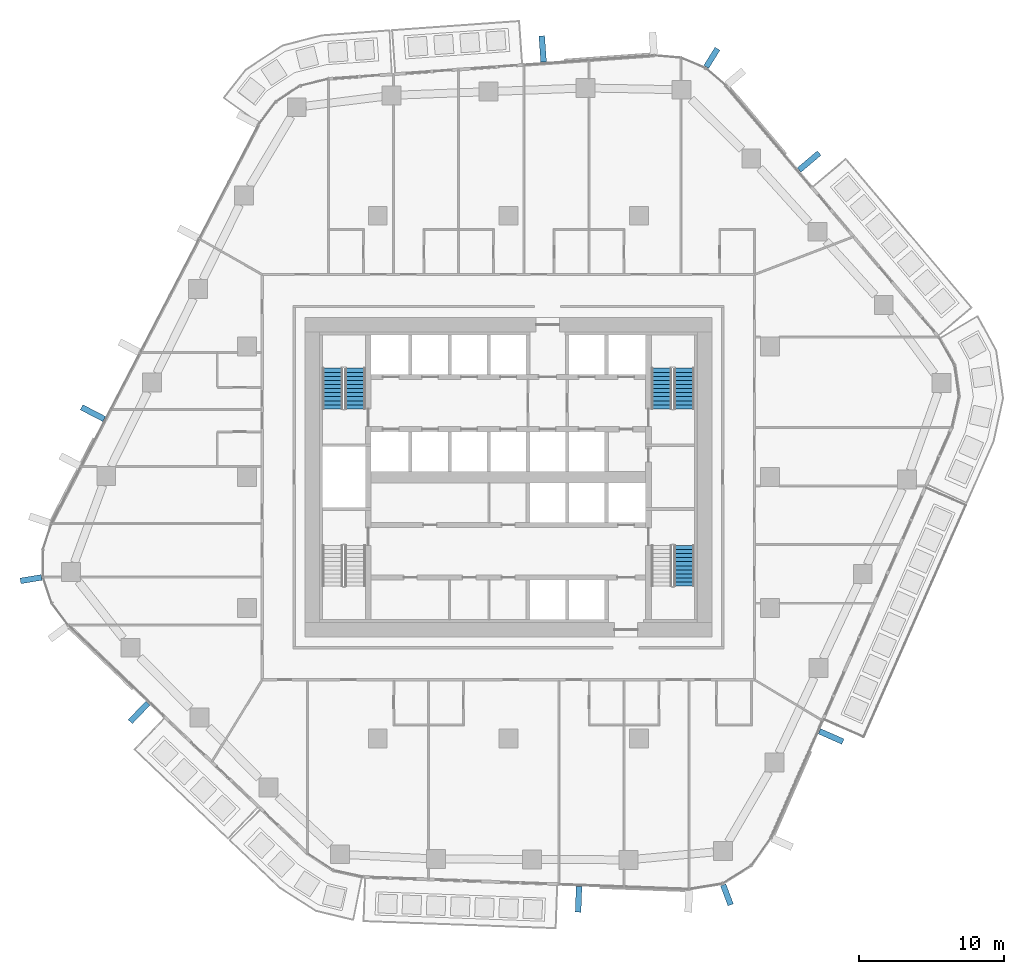
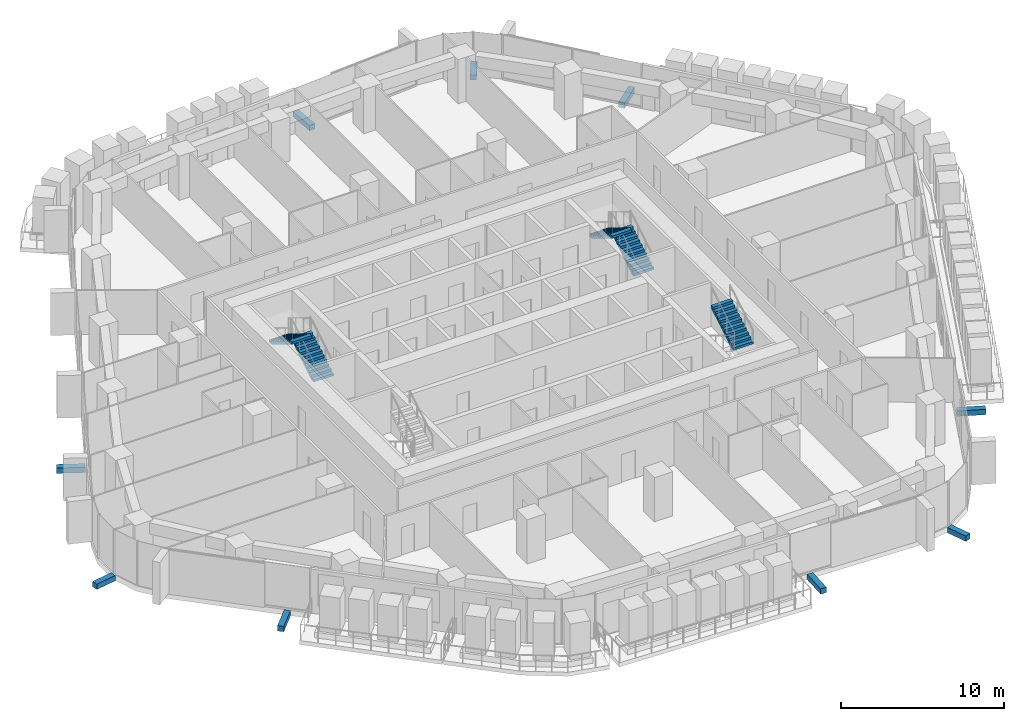
# One storey, part 18 of 24: 9 discrete accessories, 5 stair flights, 3 elements without a shape of their own.
"""IFC4 building model written with IfcOpenShell, lengths in metres."""

from ifc_helpers import new_model, si_unit, direction, frame, origin, origin_2d, place, context, subcontext, project, spatial, polyline, rectangle, outline, extrude, material, layer, layer_set, type_object, element, aggregate, save


model = new_model("IFC4")

# Units and contexts
model_context = context("Model", 3, precision=1e-05, world=origin(), true_north=direction((0.0, 1.0)))
body_context = subcontext(model_context, "Body", "Model", "MODEL_VIEW")
ifc_project = project(units=[si_unit("LENGTHUNIT", "METRE"), si_unit("AREAUNIT", "SQUARE_METRE"), si_unit("VOLUMEUNIT", "CUBIC_METRE"), si_unit("PLANEANGLEUNIT", "RADIAN"), si_unit("MASSUNIT", "GRAM", prefix="KILO")], contexts=[model_context])

# Site, building, storey
site_placement = place(None, origin())
site = spatial("IfcSite", under=ifc_project, at=site_placement, CompositionType="ELEMENT")
building_placement = place(site_placement, origin())
building = spatial("IfcBuilding", under=site, at=building_placement, Name="Dongbaek Canopy Tower", CompositionType="ELEMENT")
storey_placement = place(building_placement, frame((0.0, 0.0, 110.0)))
storey = spatial("IfcBuildingStorey", under=building, at=storey_placement, Name="L23", CompositionType="ELEMENT", Elevation=110.0)

# Stair, stair flights
ifc_material_1 = material(Name="Concrete C40/50", Category="concrete")
stair_type = type_object("IfcStairType", Name="Core exit stair", PredefinedType="HALF_TURN_STAIR", material=ifc_material_1)
stair_1_placement = place(storey_placement, origin())
stair_1 = element("IfcStair", 1, at=stair_1_placement, inside=storey, type_object=stair_type, Name="L23 exit stair A", PredefinedType="HALF_TURN_STAIR")
ifc_material_2 = material(Name="Concrete C40/50", Category="concrete")
ifc_layer = layer(ifc_material_2, 0.14990234375)
ifc_layer_set = layer_set([ifc_layer], Name="Core stair flight 150 waist")
stair_flight_type = type_object("IfcStairFlightType", Name="Core stair flight 150 waist", PredefinedType="STRAIGHT", material=ifc_layer_set)
stair_flight_1_placement = place(storey_placement, frame((12.10009765625, 4.699951171875, 0.0), z_axis=(0.0, 0.0, 1.0), x_axis=(0.0, 1.0, 0.0)))
stair_flight_1 = element("IfcStairFlight", 2, at=stair_flight_1_placement, type_object=stair_flight_type, Name="ST-A flight 1", NumberOfRisers=11, NumberOfTreads=10, PredefinedType="STRAIGHT", RiserHeight=0.168181818, TreadLength=0.28, context=body_context, shape_type="SweptSolid", body=[
    extrude(outline(polyline([(0.0, 0.0), (0.0, 0.168212890625), (0.280029296875, 0.168212890625), (0.280029296875, 0.33642578125), (0.56005859375, 0.33642578125), (0.56005859375, 0.504638671875), (0.840087890625, 0.504638671875), (0.840087890625, 0.672607421875), (1.1201171875, 0.672607421875), (1.1201171875, 0.8408203125), (1.39990234375, 0.8408203125), (1.39990234375, 1.009033203125), (1.679931640625, 1.009033203125), (1.679931640625, 1.17724609375), (1.9599609375, 1.17724609375), (1.9599609375, 1.345458984375), (2.239990234375, 1.345458984375), (2.239990234375, 1.513671875), (2.52001953125, 1.513671875), (2.52001953125, 1.681884765625), (2.800048828125, 1.681884765625), (2.800048828125, 1.85009765625), (2.800048828125, 1.5068359375), (0.291015625, 0.0), (0.0, 0.0)])), frame((0.0, 0.699951171875, 0.0), z_axis=(0.0, -1.0, 0.0), x_axis=(1.0, 0.0, 0.0)), (0.0, 0.0, 1.0), 1.39990234375),
])
stair_flight_2_placement = place(storey_placement, frame((10.550048828125, 7.5, 1.85009765625), z_axis=(0.0, 0.0, 1.0), x_axis=(0.0, -1.0, 0.0)))
stair_flight_2 = element("IfcStairFlight", 3, at=stair_flight_2_placement, type_object=stair_flight_type, Name="ST-A flight 2", NumberOfRisers=11, NumberOfTreads=10, PredefinedType="STRAIGHT", RiserHeight=0.168181818, TreadLength=0.28, context=body_context, shape_type="SweptSolid", body=[
    extrude(outline(polyline([(0.0, 0.0), (0.0, 0.168212890625), (0.280029296875, 0.168212890625), (0.280029296875, 0.33642578125), (0.56005859375, 0.33642578125), (0.56005859375, 0.504638671875), (0.840087890625, 0.504638671875), (0.840087890625, 0.672607421875), (1.1201171875, 0.672607421875), (1.1201171875, 0.8408203125), (1.39990234375, 0.8408203125), (1.39990234375, 1.009033203125), (1.679931640625, 1.009033203125), (1.679931640625, 1.17724609375), (1.9599609375, 1.17724609375), (1.9599609375, 1.345458984375), (2.239990234375, 1.345458984375), (2.239990234375, 1.513671875), (2.52001953125, 1.513671875), (2.52001953125, 1.681884765625), (2.800048828125, 1.681884765625), (2.800048828125, 1.85009765625), (2.800048828125, 1.5068359375), (0.291015625, 0.0), (0.0, 0.0)])), frame((0.0, 0.699951171875, 0.0), z_axis=(0.0, -1.0, 0.0), x_axis=(1.0, 0.0, 0.0)), (0.0, 0.0, 1.0), 1.39990234375),
])
aggregate(stair_1, [stair_flight_1, stair_flight_2])

stair_2_placement = place(storey_placement, origin())
stair_2 = element("IfcStair", 4, at=stair_2_placement, inside=storey, type_object=stair_type, Name="L23 exit stair C", PredefinedType="HALF_TURN_STAIR")
stair_flight_3_placement = place(storey_placement, frame((-10.550048828125, 4.699951171875, 0.0), z_axis=(0.0, 0.0, 1.0), x_axis=(0.0, 1.0, 0.0)))
stair_flight_3 = element("IfcStairFlight", 5, at=stair_flight_3_placement, type_object=stair_flight_type, Name="ST-C flight 1", NumberOfRisers=11, NumberOfTreads=10, PredefinedType="STRAIGHT", RiserHeight=0.168181818, TreadLength=0.28, context=body_context, shape_type="SweptSolid", body=[
    extrude(outline(polyline([(0.0, 0.0), (0.0, 0.168212890625), (0.280029296875, 0.168212890625), (0.280029296875, 0.33642578125), (0.56005859375, 0.33642578125), (0.56005859375, 0.504638671875), (0.840087890625, 0.504638671875), (0.840087890625, 0.672607421875), (1.1201171875, 0.672607421875), (1.1201171875, 0.8408203125), (1.39990234375, 0.8408203125), (1.39990234375, 1.009033203125), (1.679931640625, 1.009033203125), (1.679931640625, 1.17724609375), (1.9599609375, 1.17724609375), (1.9599609375, 1.345458984375), (2.239990234375, 1.345458984375), (2.239990234375, 1.513671875), (2.52001953125, 1.513671875), (2.52001953125, 1.681884765625), (2.800048828125, 1.681884765625), (2.800048828125, 1.85009765625), (2.800048828125, 1.5068359375), (0.291015625, 0.0), (0.0, 0.0)])), frame((0.0, 0.699951171875, 0.0), z_axis=(0.0, -1.0, 0.0), x_axis=(1.0, 0.0, 0.0)), (0.0, 0.0, 1.0), 1.39990234375),
])
stair_flight_4_placement = place(storey_placement, frame((-12.10009765625, 7.5, 1.85009765625), z_axis=(0.0, 0.0, 1.0), x_axis=(0.0, -1.0, 0.0)))
stair_flight_4 = element("IfcStairFlight", 6, at=stair_flight_4_placement, type_object=stair_flight_type, Name="ST-C flight 2", NumberOfRisers=11, NumberOfTreads=10, PredefinedType="STRAIGHT", RiserHeight=0.168181818, TreadLength=0.28, context=body_context, shape_type="SweptSolid", body=[
    extrude(outline(polyline([(0.0, 0.0), (0.0, 0.168212890625), (0.280029296875, 0.168212890625), (0.280029296875, 0.33642578125), (0.56005859375, 0.33642578125), (0.56005859375, 0.504638671875), (0.840087890625, 0.504638671875), (0.840087890625, 0.672607421875), (1.1201171875, 0.672607421875), (1.1201171875, 0.8408203125), (1.39990234375, 0.8408203125), (1.39990234375, 1.009033203125), (1.679931640625, 1.009033203125), (1.679931640625, 1.17724609375), (1.9599609375, 1.17724609375), (1.9599609375, 1.345458984375), (2.239990234375, 1.345458984375), (2.239990234375, 1.513671875), (2.52001953125, 1.513671875), (2.52001953125, 1.681884765625), (2.800048828125, 1.681884765625), (2.800048828125, 1.85009765625), (2.800048828125, 1.5068359375), (0.291015625, 0.0), (0.0, 0.0)])), frame((0.0, 0.699951171875, 0.0), z_axis=(0.0, -1.0, 0.0), x_axis=(1.0, 0.0, 0.0)), (0.0, 0.0, 1.0), 1.39990234375),
])
aggregate(stair_2, [stair_flight_3, stair_flight_4])

# Stair, stair flight
stair_3_placement = place(storey_placement, origin())
stair_3 = element("IfcStair", 7, at=stair_3_placement, inside=storey, type_object=stair_type, Name="L23 exit stair B", PredefinedType="HALF_TURN_STAIR")
stair_flight_5_placement = place(storey_placement, frame((12.10009765625, -7.5, 1.85009765625), z_axis=(0.0, 0.0, 1.0), x_axis=(0.0, 1.0, 0.0)))
stair_flight_5 = element("IfcStairFlight", 8, at=stair_flight_5_placement, type_object=stair_flight_type, Name="ST-B flight 2", NumberOfRisers=11, NumberOfTreads=10, PredefinedType="STRAIGHT", RiserHeight=0.168181818, TreadLength=0.28, context=body_context, shape_type="SweptSolid", body=[
    extrude(outline(polyline([(0.0, 0.0), (0.0, 0.168212890625), (0.280029296875, 0.168212890625), (0.280029296875, 0.33642578125), (0.56005859375, 0.33642578125), (0.56005859375, 0.504638671875), (0.840087890625, 0.504638671875), (0.840087890625, 0.672607421875), (1.1201171875, 0.672607421875), (1.1201171875, 0.8408203125), (1.39990234375, 0.8408203125), (1.39990234375, 1.009033203125), (1.679931640625, 1.009033203125), (1.679931640625, 1.17724609375), (1.9599609375, 1.17724609375), (1.9599609375, 1.345458984375), (2.239990234375, 1.345458984375), (2.239990234375, 1.513671875), (2.52001953125, 1.513671875), (2.52001953125, 1.681884765625), (2.800048828125, 1.681884765625), (2.800048828125, 1.85009765625), (2.800048828125, 1.5068359375), (0.291015625, 0.0), (0.0, 0.0)])), frame((0.0, 0.699951171875, 0.0), z_axis=(0.0, -1.0, 0.0), x_axis=(1.0, 0.0, 0.0)), (0.0, 0.0, 1.0), 1.39990234375),
])
aggregate(stair_3, [stair_flight_5])

# Discrete accessories
ifc_material_3 = material(Name="Galvanised steel S355 bracket", Category="steel")
discrete_accessory_type = type_object("IfcDiscreteAccessoryType", Name="Crease fin bracket BR3 400", PredefinedType="BRACKET", material=ifc_material_3)
discrete_accessory_1_placement = place(storey_placement, frame((20.705078125, 21.73046875, -0.39990234375), z_axis=(0.0, 0.0, 1.0), x_axis=(0.763289979412, 0.646056040394, 0.0)))
element("IfcDiscreteAccessory", 9, at=discrete_accessory_1_placement, inside=storey, type_object=discrete_accessory_type, Name="Crease fin bracket L23 F0", PredefinedType="BRACKET", context=body_context, shape_type="SweptSolid", body=[
    extrude(rectangle(XDim=1.80859375, YDim=0.39990234375, at=origin_2d()), origin(), (0.0, 0.0, 1.0), 0.39990234375),
])
discrete_accessory_2_placement = place(storey_placement, frame((2.35888671875, 29.485595703125, -0.39990234375), z_axis=(0.0, 0.0, 1.0), x_axis=(-0.071742903788, 0.99742315782, 0.0)))
element("IfcDiscreteAccessory", 10, at=discrete_accessory_2_placement, inside=storey, type_object=discrete_accessory_type, Name="Crease fin bracket L23 F1", PredefinedType="BRACKET", context=body_context, shape_type="SweptSolid", body=[
    extrude(rectangle(XDim=1.801513671875, YDim=0.39990234375, at=origin_2d()), origin(), (0.0, 0.0, 1.0), 0.39990234375),
])
discrete_accessory_3_placement = place(storey_placement, frame((-28.615234375, 4.409423828125, -0.39990234375), z_axis=(0.0, 0.0, 1.0), x_axis=(-0.887462519706, 0.460879893376, 0.0)))
element("IfcDiscreteAccessory", 11, at=discrete_accessory_3_placement, inside=storey, type_object=discrete_accessory_type, Name="Crease fin bracket L23 F2", PredefinedType="BRACKET", context=body_context, shape_type="SweptSolid", body=[
    extrude(rectangle(XDim=1.75390625, YDim=0.39990234375, at=origin_2d()), origin(), (0.0, 0.0, 1.0), 0.39990234375),
])
discrete_accessory_4_placement = place(storey_placement, frame((-25.42919921875, -16.197998046875, -0.39990234375), z_axis=(0.0, 0.0, 1.0), x_axis=(-0.690482309776, -0.723349279316, 0.0)))
element("IfcDiscreteAccessory", 12, at=discrete_accessory_4_placement, inside=storey, type_object=discrete_accessory_type, Name="Crease fin bracket L23 F3", PredefinedType="BRACKET", context=body_context, shape_type="SweptSolid", body=[
    extrude(rectangle(XDim=1.7685546875, YDim=0.39990234375, at=origin_2d()), origin(), (0.0, 0.0, 1.0), 0.39990234375),
])
discrete_accessory_5_placement = place(storey_placement, frame((4.830078125, -29.064208984375, -0.39990234375), z_axis=(0.0, 0.0, 1.0), x_axis=(-0.036872192324, -0.999319989509, 0.0)))
element("IfcDiscreteAccessory", 13, at=discrete_accessory_5_placement, inside=storey, type_object=discrete_accessory_type, Name="Crease fin bracket L23 F4", PredefinedType="BRACKET", context=body_context, shape_type="SweptSolid", body=[
    extrude(rectangle(XDim=1.779296875, YDim=0.39990234375, at=origin_2d()), origin(), (0.0, 0.0, 1.0), 0.39990234375),
])
discrete_accessory_6_placement = place(storey_placement, frame((22.220947265625, -17.851806640625, -0.39990234375), z_axis=(0.0, 0.0, 1.0), x_axis=(0.915073027151, -0.403288178578, 0.0)))
element("IfcDiscreteAccessory", 14, at=discrete_accessory_6_placement, inside=storey, type_object=discrete_accessory_type, Name="Crease fin bracket L23 F5", PredefinedType="BRACKET", context=body_context, shape_type="SweptSolid", body=[
    extrude(rectangle(XDim=1.7685546875, YDim=0.39990234375, at=origin_2d()), origin(), (0.0, 0.0, 1.0), 0.39990234375),
])
for number, where, z_axis, x_axis, name in (
    (15, (14.00732421875, 28.87353515625, -0.39990234375), (0.0, 0.0, 1.0), (0.526936511908, 0.849904649016, 0.0), "Corner fin bracket L23 K1"),
    (16, (-32.872802734375, -7.022216796875, -0.39990234375), (0.0, 0.0, 1.0), (-0.986446731752, -0.164081825364, 0.0), "Corner fin bracket L23 K3"),
    (17, (15.043701171875, -28.760986328125, -0.39990234375), (0.0, 0.0, 1.0), (0.352875585883, -0.935670252219, 0.0), "Corner fin bracket L23 K5"),
):
    element("IfcDiscreteAccessory", number, at=place(storey_placement, frame(where, z_axis=z_axis, x_axis=x_axis)), inside=storey, type_object=discrete_accessory_type, Name=name, PredefinedType="BRACKET", context=body_context, shape_type="SweptSolid", body=[
        extrude(rectangle(XDim=1.469970703125, YDim=0.39990234375, at=origin_2d()), origin(), (0.0, 0.0, 1.0), 0.39990234375),
    ])

save(model, "model.ifc")
